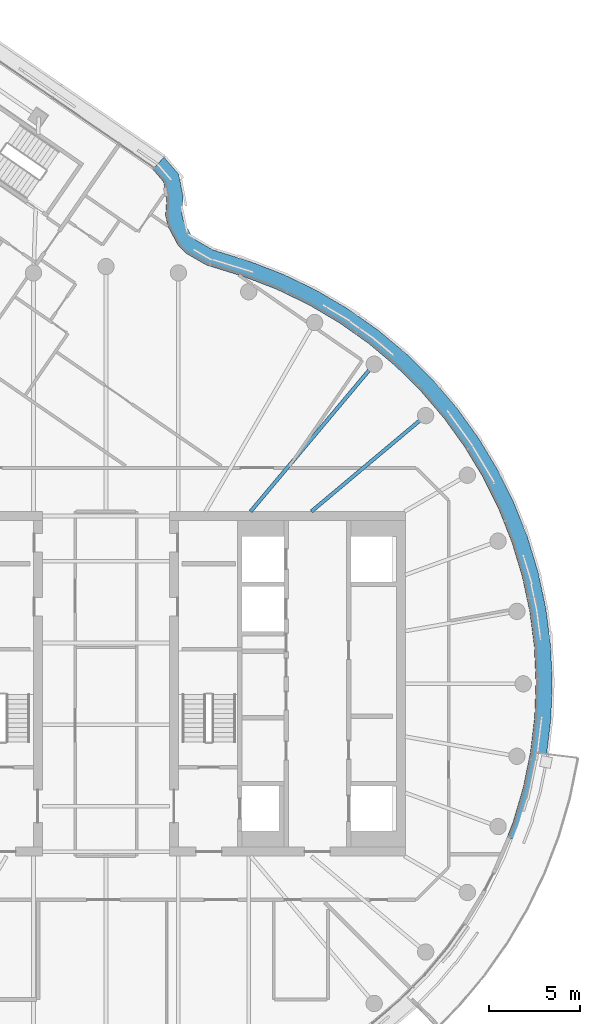
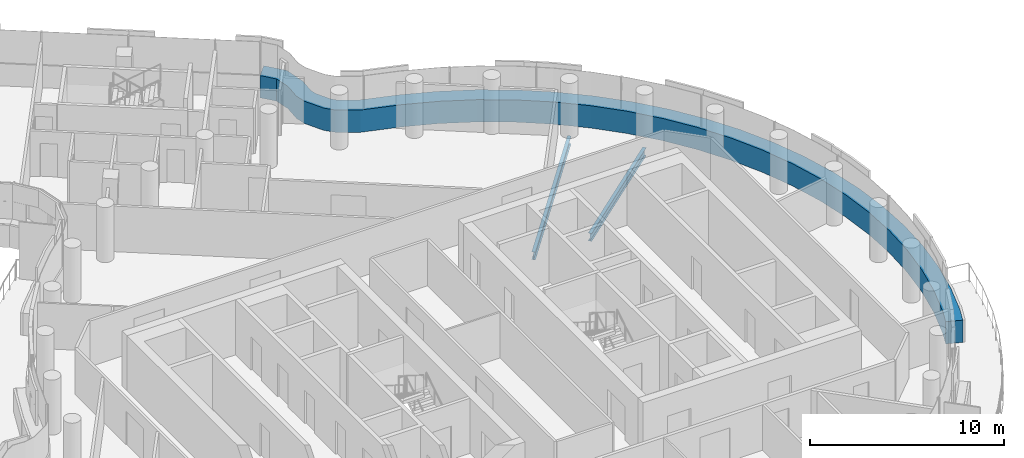
# One storey, part 11 of 26: 2 beams, 1 member, 1 element without a shape of its own.
"""IFC4 building model written with IfcOpenShell, lengths in metres."""

import ifcopenshell
import ifcopenshell.guid

model = None  # the IFC model being written
_history = None  # IfcOwnerHistory: only IFC2X3 demands one
_inside = {}  # id of a spatial element -> (the spatial element, [elements in it])
_under = {}  # id of a project, library or spatial element -> (it, [spatial elements below it])
_declared = {}  # id of a project -> (the project, [libraries it declares])
_typed = {}  # id of a type object -> (the type object, [elements of that type])
_made_of = {}  # id of a material, layer set ... -> (it, [elements and type objects made of it])


def new_model(schema):
    """Start an empty IFC model of exactly this schema.

    Asked for "IFC4X3", IfcOpenShell would pick the latest addendum, in which some entities
    have other attributes; the version numbers below select the first issue.
    IFC2X3 requires an IfcOwnerHistory on every rooted entity: one is made here for all.
    """
    global model, _history
    if schema == "IFC4X3":
        model = ifcopenshell.file(schema_version=(4, 3, 0, 0))
    else:
        model = ifcopenshell.file(schema=schema)
    _inside.clear()
    _under.clear()
    _declared.clear()
    _typed.clear()
    _made_of.clear()
    _history = None
    if model.schema == "IFC2X3":
        org = make("IfcOrganization", Name="unknown")
        user = make(
            "IfcPersonAndOrganization",
            ThePerson=make("IfcPerson", FamilyName="unknown"),
            TheOrganization=org,
        )
        app = make(
            "IfcApplication",
            ApplicationDeveloper=org,
            Version="unknown",
            ApplicationFullName="unknown",
            ApplicationIdentifier="unknown",
        )
        _history = make(
            "IfcOwnerHistory",
            OwningUser=user,
            OwningApplication=app,
            ChangeAction="ADDED",
            CreationDate=0,
        )
    return model


def make(cls, **values):
    """One entity of the class cls with the attributes given. An attribute that is None is left unset."""
    return model.create_entity(
        cls, **{name: value for name, value in values.items() if value is not None}
    )


def rooted(cls, **values):
    """An entity with a GlobalId (a new one), such as an element, a storey or a relation."""
    return make(cls, GlobalId=ifcopenshell.guid.new(), OwnerHistory=_history, **values)


def si_unit(unit_type, name, prefix=None):
    """IfcSIUnit, for example si_unit("LENGTHUNIT", "METRE", prefix="MILLI")."""
    return make("IfcSIUnit", UnitType=unit_type, Prefix=prefix, Name=name)


def assignment(units):
    """IfcUnitAssignment: the units of a project."""
    return None if units is None else make("IfcUnitAssignment", Units=units)


def point(xyz):
    """IfcCartesianPoint."""
    return None if xyz is None else make("IfcCartesianPoint", Coordinates=xyz)


def direction(xyz):
    """IfcDirection."""
    return None if xyz is None else make("IfcDirection", DirectionRatios=xyz)


def frame(location, z_axis=None, x_axis=None):
    """IfcAxis2Placement3D, a coordinate frame: its origin and axes. An axis left out is left unset."""
    return make(
        "IfcAxis2Placement3D",
        Location=point(location),
        Axis=direction(z_axis),
        RefDirection=direction(x_axis),
    )


def frame_2d(location, x_axis=None):
    """IfcAxis2Placement2D, a coordinate frame in the plane: its origin and x axis."""
    return make(
        "IfcAxis2Placement2D", Location=point(location), RefDirection=direction(x_axis)
    )


def origin():
    """The frame at (0, 0, 0) with its axes left unset."""
    return frame((0.0, 0.0, 0.0))


def origin_2d():
    """The frame at (0, 0) in the plane with its x axis left unset."""
    return frame_2d((0.0, 0.0))


def place(relative_to, where):
    """IfcLocalPlacement: puts the frame where relative to a parent placement (None: the world)."""
    return make(
        "IfcLocalPlacement", PlacementRelTo=relative_to, RelativePlacement=where
    )


def context(
    kind, dimensions, precision=None, world=None, true_north=None, identifier=None
):
    """IfcGeometricRepresentationContext, for example the 3D "Model" context."""
    return make(
        "IfcGeometricRepresentationContext",
        ContextIdentifier=identifier,
        ContextType=kind,
        CoordinateSpaceDimension=dimensions,
        Precision=precision,
        WorldCoordinateSystem=world,
        TrueNorth=true_north,
    )


def subcontext(parent, identifier, kind, view, scale=None):
    """IfcGeometricRepresentationSubContext, for example "Body" below "Model"."""
    return make(
        "IfcGeometricRepresentationSubContext",
        ContextIdentifier=identifier,
        ContextType=kind,
        ParentContext=parent,
        TargetScale=scale,
        TargetView=view,
    )


def project(units=None, contexts=None):
    """IfcProject with its units and contexts."""
    return rooted(
        "IfcProject",
        Name="project",
        RepresentationContexts=contexts,
        UnitsInContext=assignment(units),
    )


def spatial(cls, under=None, at=None, **own):
    """A site, building, storey or space (cls), placed at a placement, below another one or the project."""
    s = rooted(cls, ObjectPlacement=at, **own)
    if under is not None:
        _under.setdefault(under.id(), (under, []))[1].append(s)
    return s


def polyline(points):
    """IfcPolyline through the points."""
    return make("IfcPolyline", Points=[point(p) for p in points])


def profile(cls, at=None, kind="AREA", **sizes):
    """A parametric profile (cls). Its sizes go by their IFC names, for example OverallWidth=200.0."""
    return make(cls, ProfileType=kind, Position=at, **sizes)


def i_section(**sizes):
    """IfcIShapeProfileDef."""
    return profile("IfcIShapeProfileDef", **sizes)


def outline(outer, holes=None, kind="AREA"):
    """IfcArbitraryClosedProfileDef: a profile drawn as a closed curve; with holes, ...WithVoids."""
    if holes is None:
        return make("IfcArbitraryClosedProfileDef", ProfileType=kind, OuterCurve=outer)
    return make(
        "IfcArbitraryProfileDefWithVoids",
        ProfileType=kind,
        OuterCurve=outer,
        InnerCurves=holes,
    )


def extrude(swept, where, along, depth):
    """IfcExtrudedAreaSolid: the profile swept, set in the frame where, extruded along a direction by depth."""
    return make(
        "IfcExtrudedAreaSolid",
        SweptArea=swept,
        Position=where,
        ExtrudedDirection=direction(along),
        Depth=depth,
    )


def shape(context_of_items, identifier, shape_type, items):
    """IfcShapeRepresentation: the items that make up one representation, for example the "Body"."""
    return make(
        "IfcShapeRepresentation",
        ContextOfItems=context_of_items,
        RepresentationIdentifier=identifier,
        RepresentationType=shape_type,
        Items=items,
    )


def material(Name=None, Category=None):
    """IfcMaterial."""
    return make("IfcMaterial", Name=Name, Category=Category)


def layer(
    of_material, thickness, ventilated=None, Name=None, Category=None, Priority=None
):
    """IfcMaterialLayer: one layer of a wall or slab, of a material (None: an air gap)."""
    return make(
        "IfcMaterialLayer",
        Material=of_material,
        LayerThickness=thickness,
        IsVentilated=ventilated,
        Name=Name,
        Category=Category,
        Priority=Priority,
    )


def layer_set(layers, Name=None):
    """IfcMaterialLayerSet."""
    return make("IfcMaterialLayerSet", MaterialLayers=layers, LayerSetName=Name)


def material_profile(
    of_material, cross_section, Name=None, Category=None, Priority=None
):
    """IfcMaterialProfile: a cross section and its material."""
    return make(
        "IfcMaterialProfile",
        Name=Name,
        Material=of_material,
        Profile=cross_section,
        Priority=Priority,
        Category=Category,
    )


def profile_set(profiles, Name=None, composite=None):
    """IfcMaterialProfileSet."""
    return make(
        "IfcMaterialProfileSet",
        Name=Name,
        MaterialProfiles=profiles,
        CompositeProfile=composite,
    )


def made_of(thing, what):
    """Note that an element or type object is made of a material, layer set ...; save() writes the relation."""
    if what is not None:
        _made_of.setdefault(what.id(), (what, []))[1].append(thing)
    return thing


def type_object(cls, material=None, **own):
    """A type object (cls), such as IfcWallType, which elements share."""
    return made_of(rooted(cls, **own), material)


def element(
    cls,
    number,
    at=None,
    inside=None,
    cuts=None,
    type_object=None,
    material=None,
    context=None,
    identifier="Body",
    shape_type=None,
    held_by="IfcProductDefinitionShape",
    body=None,
    shapes=None,
    **own,
):
    """One element of the class cls, such as IfcWall. Its Tag is "e" and its number.

    at: its placement. inside: the storey or other place that contains it. cuts: it is an
    opening in that element (IfcRelVoidsElement). A single representation is given by context,
    identifier, shape_type and body (its items); several are given by shapes. held_by: the class
    of the entity that holds the representations. save() writes the other relations.
    """
    e = rooted(cls, Tag="e%d" % number, ObjectPlacement=at, **own)
    if body is not None:
        shapes = [shape(context, identifier, shape_type, body)]
    if shapes is not None:
        e.Representation = make(held_by, Representations=shapes)
    if inside is not None:
        _inside.setdefault(inside.id(), (inside, []))[1].append(e)
    if cuts is not None:
        rooted(
            "IfcRelVoidsElement", RelatingBuildingElement=cuts, RelatedOpeningElement=e
        )
    if type_object is not None:
        _typed.setdefault(type_object.id(), (type_object, []))[1].append(e)
    return made_of(e, material)


def aggregate(whole, parts):
    """IfcRelAggregates: a whole, such as a stair, and the parts it consists of."""
    return rooted("IfcRelAggregates", RelatingObject=whole, RelatedObjects=parts)


def save(model, path):
    """Write the relations noted so far, then the file.

    IfcRelAggregates (storeys below a building ...), IfcRelContainedInSpatialStructure (elements
    in a storey), IfcRelDefinesByType, IfcRelAssociatesMaterial and IfcRelDeclares: one each for
    every whole, place, type object, material and project.
    """
    for whole, parts in _under.values():
        aggregate(whole, parts)
    for where, things in _inside.values():
        rooted(
            "IfcRelContainedInSpatialStructure",
            RelatedElements=things,
            RelatingStructure=where,
        )
    for kind, things in _typed.values():
        rooted("IfcRelDefinesByType", RelatedObjects=things, RelatingType=kind)
    for what, things in _made_of.values():
        rooted("IfcRelAssociatesMaterial", RelatedObjects=things, RelatingMaterial=what)
    for by, libraries in _declared.values():
        rooted("IfcRelDeclares", RelatingContext=by, RelatedDefinitions=libraries)
    model.write(path)


model = new_model("IFC4")

# Units and contexts
model_context = context("Model", 3, precision=1e-05, world=origin(), true_north=direction((0.0, 1.0)))
body_context = subcontext(model_context, "Body", "Model", "MODEL_VIEW")
ifc_project = project(units=[si_unit("LENGTHUNIT", "METRE"), si_unit("AREAUNIT", "SQUARE_METRE"), si_unit("VOLUMEUNIT", "CUBIC_METRE"), si_unit("PLANEANGLEUNIT", "RADIAN"), si_unit("MASSUNIT", "GRAM", prefix="KILO")], contexts=[model_context])

# Site, building, storey
site_placement = place(None, origin())
site = spatial("IfcSite", under=ifc_project, at=site_placement, CompositionType="ELEMENT")
building_placement = place(site_placement, origin())
building = spatial("IfcBuilding", under=site, at=building_placement, Name="Tamarind Cross Interchange Tower", CompositionType="ELEMENT")
storey_placement = place(building_placement, frame((0.0, 0.0, 234.300048828125)))
storey = spatial("IfcBuildingStorey", under=building, at=storey_placement, Name="L59", CompositionType="ELEMENT", Elevation=234.300048828125)

# Beams
ifc_material_1 = material(Name="Steel Q355B", Category="steel")
ifc_material_profile = material_profile(ifc_material_1, i_section(OverallWidth=0.198974609375, OverallDepth=0.49609375, WebThickness=0.009033203125, FlangeThickness=0.013916015625, FilletRadius=0.012939453125, at=origin_2d()), Name="HN 496x199x9x14")
ifc_profile_set = profile_set([ifc_material_profile], Name="Steel Q355B")
beam_type = type_object("IfcBeamType", Name="Composite beam HN 496x199x9x14 Q355B", PredefinedType="BEAM", material=ifc_profile_set)
beam_1_placement = place(storey_placement, frame((17.619140625, 14.7841796875, -0.387939453125), z_axis=(-0.766040580814, -0.642792212574, 0.0), x_axis=(0.642792212574, -0.766040580814, 0.0)))
element("IfcBeam", 1, at=beam_1_placement, inside=storey, type_object=beam_type, Name="Beam HH04", PredefinedType="BEAM", context=body_context, shape_type="SweptSolid", body=[
    extrude(i_section(OverallWidth=0.198974609375, OverallDepth=0.49609375, WebThickness=0.009033203125, FlangeThickness=0.013916015625, FilletRadius=0.012939453125, at=origin_2d()), origin(), (0.0, 0.0, 1.0), 8.220703125),
])
beam_2_placement = place(storey_placement, frame((14.7841796875, 17.619140625, -0.387939453125), z_axis=(-0.642786293979, -0.766045547127, 0.0), x_axis=(0.766045547127, -0.642786293979, 0.0)))
element("IfcBeam", 2, at=beam_2_placement, inside=storey, type_object=beam_type, Name="Beam HH05", PredefinedType="BEAM", context=body_context, shape_type="SweptSolid", body=[
    extrude(i_section(OverallWidth=0.198974609375, OverallDepth=0.49609375, WebThickness=0.009033203125, FlangeThickness=0.013916015625, FilletRadius=0.012939453125, at=origin_2d()), origin(), (0.0, 0.0, 1.0), 10.598876953125),
])

# Curtain wall, member
ifc_material_2 = material(Name="Aluminium 6063-T6", Category="aluminium")
ifc_layer = layer(ifc_material_2, 0.139892578125)
ifc_layer_set = layer_set([ifc_layer], Name="Aluminium 6063-T6")
curtain_wall_type = type_object("IfcCurtainWallType", Name="Hotel curtain wall, 4.5 m bays", PredefinedType="NOTDEFINED", material=ifc_layer_set)
curtain_wall_placement = place(storey_placement, origin())
curtain_wall = element("IfcCurtainWall", 3, at=curtain_wall_placement, inside=storey, type_object=curtain_wall_type, Name="CWS-L59-02", PredefinedType="NOTDEFINED")
ifc_material_3 = material(Name="Aluminium and insulated spandrel panel", Category="aluminium")
member_type = type_object("IfcMemberType", Name="Floor-edge blade transom", PredefinedType="USERDEFINED", material=ifc_material_3)
member_placement = place(storey_placement, origin())
member = element("IfcMember", 4, at=member_placement, type_object=member_type, Name="CWT-L59-02-1", ObjectType="TRANSOM", PredefinedType="USERDEFINED", context=body_context, shape_type="SweptSolid", body=[
    extrude(outline(polyline([(22.11865234375, -8.44384765625), (22.444580078125, -7.597412109375), (22.995361328125, -5.718017578125), (23.38916015625, -3.799560546875), (23.623046875, -1.855224609375), (23.695556640625, 0.10205078125), (23.606201171875, 2.058349609375), (23.35546875, 4.000732421875), (22.9453125, 5.915771484375), (22.37841796875, 7.790283203125), (21.65869140625, 9.61181640625), (20.791015625, 11.367431640625), (19.78125, 13.045654296875), (18.636474609375, 14.634521484375), (17.3642578125, 16.12353515625), (15.973388671875, 17.50244140625), (14.4736328125, 18.76171875), (12.874755859375, 19.892822265625), (11.188232421875, 20.88818359375), (9.425048828125, 21.74072265625), (7.59521484375, 22.445556640625), (5.52490234375, 23.08740234375), (4.397705078125, 23.739501953125), (3.965576171875, 24.186279296875), (3.4140625, 25.21826171875), (3.28271484375, 25.82568359375), (3.344970703125, 26.787353515625), (3.172119140625, 27.67236328125), (2.585205078125, 28.357177734375), (3.1923828125, 29.031494140625), (4.009765625, 28.077880859375), (4.250732421875, 26.845458984375), (4.18896484375, 25.89306640625), (4.26708984375, 25.531494140625), (4.7001953125, 24.721435546875), (4.957275390625, 24.45556640625), (5.88818359375, 23.9169921875), (7.890625, 23.296142578125), (9.783203125, 22.567138671875), (11.613525390625, 21.68212890625), (13.3642578125, 20.64892578125), (15.023681640625, 19.474853515625), (16.580810546875, 18.167724609375), (18.0244140625, 16.736572265625), (19.344970703125, 15.19091796875), (20.533203125, 13.54150390625), (21.581298828125, 11.799560546875), (22.482177734375, 9.97705078125), (23.229248046875, 8.08642578125), (23.817626953125, 6.140625), (24.243408203125, 4.15283203125), (24.50341796875, 2.13671875), (24.59619140625, 0.10595703125), (24.52099609375, -1.925537109375), (24.2783203125, -3.944091796875), (23.86962890625, -5.935302734375), (23.2978515625, -7.88623046875), (22.95947265625, -8.764892578125), (22.11865234375, -8.44384765625)])), origin(), (0.0, 0.0, 1.0), 1.39990234375),
])
aggregate(curtain_wall, [member])

save(model, "model.ifc")
